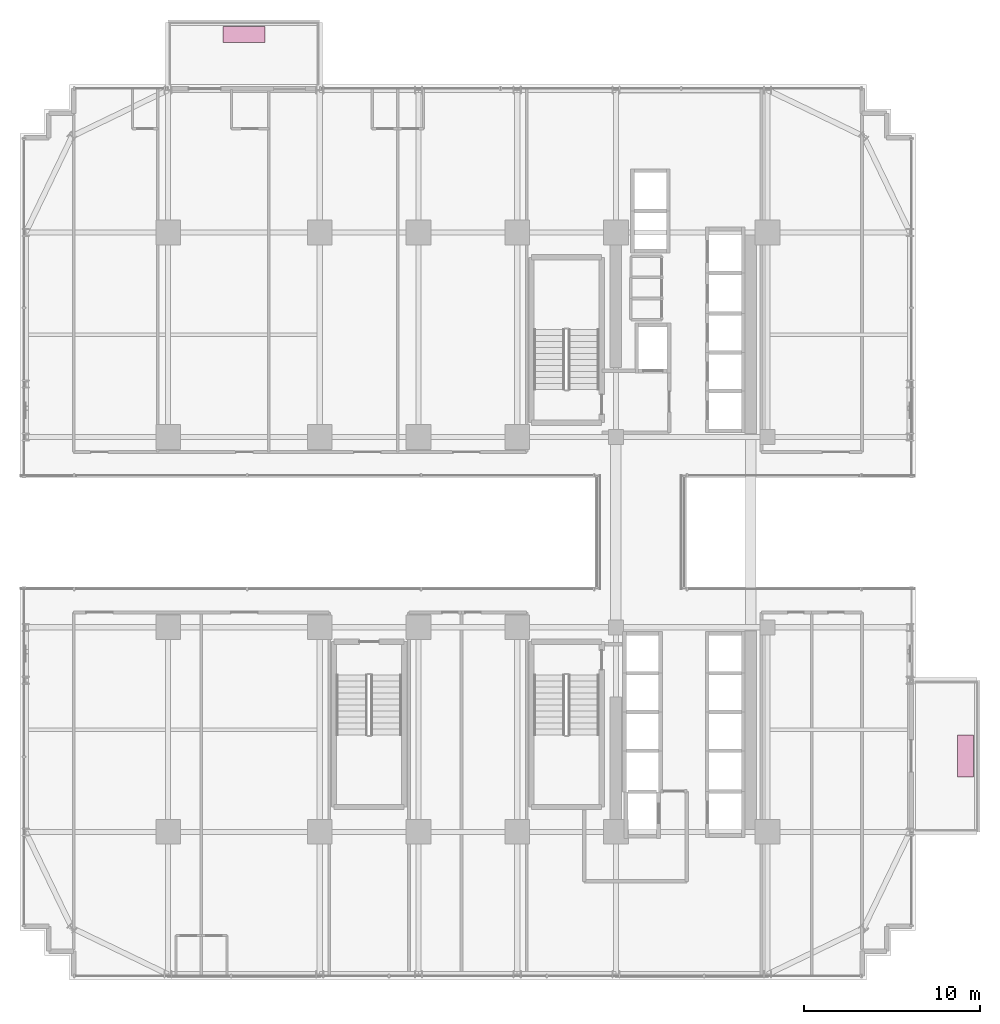
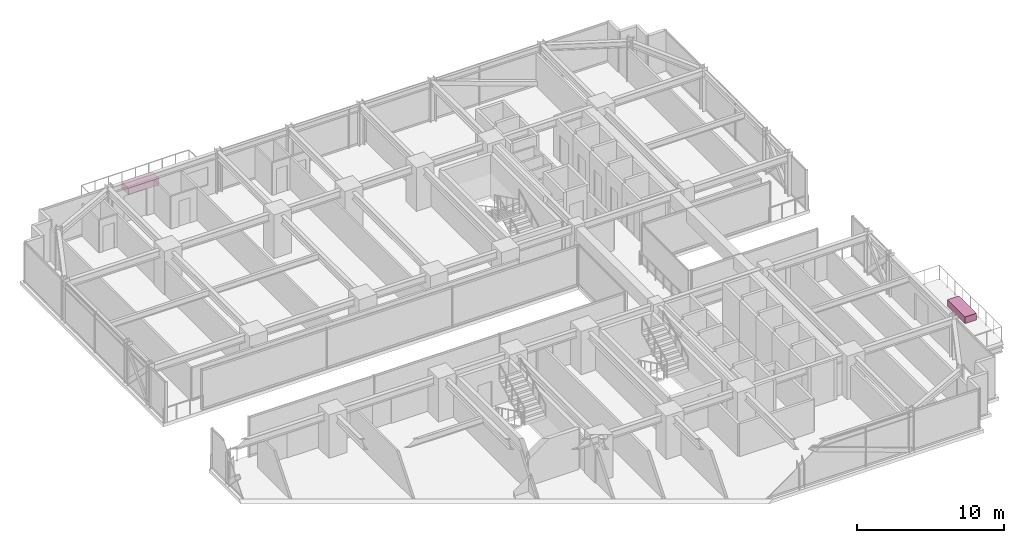
# One storey, part 41 of 41: 2 furnishings.
"""IFC4 building model written with IfcOpenShell, lengths in metres."""

from ifc_helpers import new_model, si_unit, direction, frame, origin, origin_2d, place, context, subcontext, project, spatial, rectangle, extrude, source, transform, mapped, material, type_object, element, save


model = new_model("IFC4")

# Units and contexts
model_context = context("Model", 3, precision=1e-05, world=origin(), true_north=direction((0.0, 1.0)))
body_context = subcontext(model_context, "Body", "Model", "MODEL_VIEW")
ifc_project = project(units=[si_unit("LENGTHUNIT", "METRE"), si_unit("AREAUNIT", "SQUARE_METRE"), si_unit("VOLUMEUNIT", "CUBIC_METRE"), si_unit("PLANEANGLEUNIT", "RADIAN"), si_unit("MASSUNIT", "GRAM", prefix="KILO")], contexts=[model_context])

# Site, building, storey
site_placement = place(None, origin())
site = spatial("IfcSite", under=ifc_project, at=site_placement, CompositionType="ELEMENT")
building_placement = place(site_placement, origin())
building = spatial("IfcBuilding", under=site, at=building_placement, Name="Nahalor Promenade Grand Hotel", CompositionType="ELEMENT")
storey_placement = place(building_placement, frame((0.0, 0.0, 54.300048828125)))
storey = spatial("IfcBuildingStorey", under=building, at=storey_placement, Name="L12", CompositionType="ELEMENT", Elevation=54.300048828125)

# Furnishings
ifc_material = material(Name="Vegetated Volcanic-Lapilli Tree Planter", Category="earth")
furnishing_element_type = type_object("IfcFurnishingElementType", Name="Planter-VerticalForest-Box", material=ifc_material)
shared_shape = source(origin(), body_context, "Body", "SweptSolid", [
    extrude(rectangle(XDim=2.39990234375, YDim=0.89990234375, at=origin_2d()), origin(), (0.0, 0.0, 1.0), 0.550048828125),
])
for number, where, z_axis, x_axis, name in (
    (1, (-12.699951171875, 28.22998046875, 0.0), (0.0, 0.0, 1.0), (1.0, 0.0, 0.0), "L12 Balcony Structural Tree Planter 1"),
    (2, (28.219970703125, -12.699951171875, 0.0), (0.0, 0.0, 1.0), (0.0, 1.0, 0.0), "L12 Balcony Structural Tree Planter 2"),
):
    element("IfcFurnishingElement", number, at=place(storey_placement, frame(where, z_axis=z_axis, x_axis=x_axis)), inside=storey, type_object=furnishing_element_type, Name=name, ObjectType="PLANTER", context=body_context, shape_type="MappedRepresentation", body=[
        mapped(shared_shape, transform((0.0, 0.0, 0.0), scale=1.0)),
    ])

save(model, "model.ifc")
